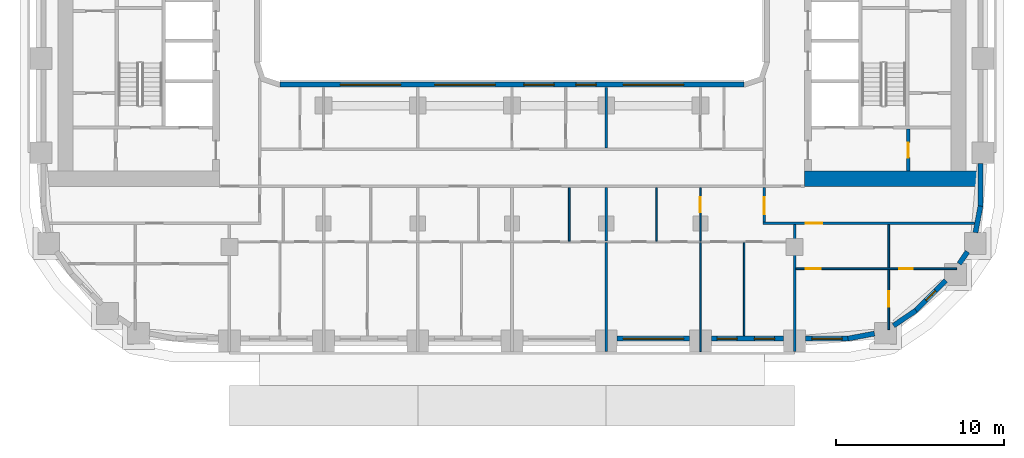
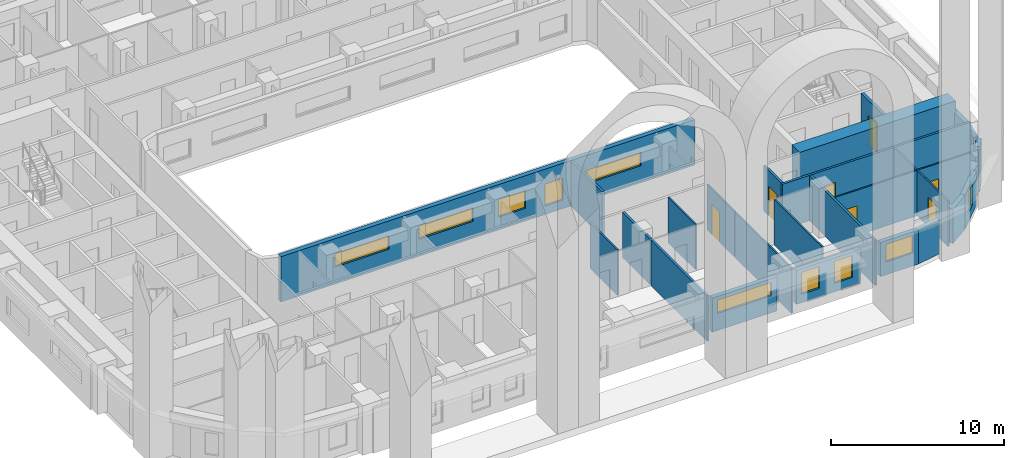
# One storey, part 5 of 19: 26 walls, 10 windows, 7 doors, 17 openings.
"""IFC4 building model written with IfcOpenShell, lengths in metres."""

from ifc_helpers import new_model, si_unit, direction, frame, frame_2d, origin, place, context, subcontext, project, spatial, rectangle, extrude, material, layer, layer_set, type_object, element, fill, save


model = new_model("IFC4")

# Units and contexts
model_context = context("Model", 3, precision=1e-05, world=origin(), true_north=direction((0.0, 1.0)))
body_context = subcontext(model_context, "Body", "Model", "MODEL_VIEW")
ifc_project = project(units=[si_unit("LENGTHUNIT", "METRE"), si_unit("AREAUNIT", "SQUARE_METRE"), si_unit("VOLUMEUNIT", "CUBIC_METRE"), si_unit("PLANEANGLEUNIT", "RADIAN"), si_unit("MASSUNIT", "GRAM", prefix="KILO")], contexts=[model_context])

# Site, building, storey
site_placement = place(None, origin())
site = spatial("IfcSite", under=ifc_project, at=site_placement, CompositionType="ELEMENT")
building_placement = place(site_placement, origin())
building = spatial("IfcBuilding", under=site, at=building_placement, Name="Kiln Ring Residences", CompositionType="ELEMENT")
storey_placement = place(building_placement, frame((0.0, 0.0, 83.300048828125)))
storey = spatial("IfcBuildingStorey", under=building, at=storey_placement, Name="L20", CompositionType="ELEMENT", Elevation=83.300048828125)

# Wall, opening, door
ifc_material_1 = material(Name="Gypsum board on steel studs", Category="steel")
ifc_layer_1 = layer(ifc_material_1, 0.199951171875)
ifc_layer_set_1 = layer_set([ifc_layer_1], Name="CORE-PARTITION-200")
wall_type_1 = type_object("IfcWallType", Name="CORE-PARTITION-200", PredefinedType="PARTITIONING", material=ifc_layer_set_1)
wall_1_placement = place(storey_placement, frame((23.550048828125, -12.300048828125, 0.0), z_axis=(0.0, 0.0, 1.0), x_axis=(0.0, 1.0, 0.0)))
wall_1 = element("IfcWall", 1, at=wall_1_placement, inside=storey, type_object=wall_type_1, Name="Core partition east L20 5", PredefinedType="PARTITIONING", context=body_context, shape_type="SweptSolid", body=[
    extrude(rectangle(XDim=2.5, YDim=0.199951171875, at=frame_2d((1.25, 0.0))), origin(), (0.0, 0.0, 1.0), 3.199951171875),
])
opening_1_placement = place(wall_1_placement, frame((0.800048828125, 0.0, 0.0)))
opening_1 = element("IfcOpeningElement", 2, at=opening_1_placement, cuts=wall_1, Name="Opening L20-CE11", PredefinedType="OPENING", context=body_context, shape_type="SweptSolid", body=[
    extrude(rectangle(XDim=0.89990234375, YDim=2.10009765625, at=frame_2d((0.449951171875, 1.050048828125))), frame((0.0, 0.10986328125, 0.0), z_axis=(0.0, -1.0, 0.0), x_axis=(1.0, 0.0, 0.0)), (0.0, 0.0, 1.0), 0.219970703125),
])
ifc_material_2 = material(Name="Steel door leaf", Category="steel")
door_type_1 = type_object("IfcDoorType", Name="CORE-DOOR-ROOM", OperationType="SINGLE_SWING_LEFT", PredefinedType="DOOR", material=ifc_material_2)
door_1_placement = place(opening_1_placement, origin())
door_1 = element("IfcDoor", 3, at=door_1_placement, inside=storey, type_object=door_type_1, Name="Store L20-CE11", OperationType="SINGLE_SWING_RIGHT", OverallHeight=2.10009765625, OverallWidth=0.89990234375, PredefinedType="DOOR", context=body_context, shape_type="SweptSolid", body=[
    extrude(rectangle(XDim=0.89990234375, YDim=2.10009765625, at=frame_2d((0.449951171875, 1.050048828125))), frame((0.0, 0.02490234375, 0.0), z_axis=(0.0, -1.0, 0.0), x_axis=(1.0, 0.0, 0.0)), (0.0, 0.0, 1.0), 0.050048828125),
])
fill(opening_1, door_1)

# Wall
ifc_material_3 = material(Name="Concrete C60/75", Category="concrete")
ifc_layer_2 = layer(ifc_material_3, 0.89990234375)
ifc_layer_set_2 = layer_set([ifc_layer_2], Name="CORE-WALL-RC900")
wall_type_2 = type_object("IfcWallType", Name="CORE-WALL-RC900", PredefinedType="SHEAR", material=ifc_layer_set_2)
wall_2_placement = place(storey_placement, frame((17.39990234375, -12.75, 0.0), z_axis=(0.0, 0.0, 1.0), x_axis=(1.0, 0.0, 0.0)))
element("IfcWall", 4, at=wall_2_placement, inside=storey, type_object=wall_type_2, Name="Core wall east L20 5", PredefinedType="SHEAR", context=body_context, shape_type="SweptSolid", body=[
    extrude(rectangle(XDim=10.400146484375, YDim=0.89990234375, at=frame_2d((5.2001953125, 0.0))), origin(), (0.0, 0.0, 1.0), 3.199951171875),
])

# Wall, opening, window
ifc_material_4 = material(Name="Brick masonry, dark clay brick", Category="masonry")
ifc_layer_3 = layer(ifc_material_4, 0.300048828125)
ifc_layer_set_3 = layer_set([ifc_layer_3], Name="EW-300 BRICK WALL")
wall_type_3 = type_object("IfcWallType", Name="EW-300 BRICK WALL", PredefinedType="SOLIDWALL", material=ifc_layer_set_3)
wall_3_placement = place(storey_placement, frame((6.25, -22.25, 0.0), z_axis=(0.0, 0.0, 1.0), x_axis=(1.0, 0.0, 0.0)))
wall_3 = element("IfcWall", 5, at=wall_3_placement, inside=storey, type_object=wall_type_3, Name="Facade wall L20 9", PredefinedType="SOLIDWALL", context=body_context, shape_type="SweptSolid", body=[
    extrude(rectangle(XDim=4.300048828125, YDim=0.300048828125, at=frame_2d((2.14990234375, 0.0))), origin(), (0.0, 0.0, 1.0), 2.39990234375),
])
opening_2_placement = place(wall_3_placement, frame((0.35009765625, 0.0, 1.199951171875)))
opening_2 = element("IfcOpeningElement", 6, at=opening_2_placement, cuts=wall_3, Name="Opening W4", PredefinedType="OPENING", context=body_context, shape_type="SweptSolid", body=[
    extrude(rectangle(XDim=3.60009765625, YDim=0.949951171875, at=frame_2d((1.800048828125, 0.47509765625))), frame((0.0, 0.159912109375, 0.0), z_axis=(0.0, -1.0, 0.0), x_axis=(1.0, 0.0, 0.0)), (0.0, 0.0, 1.0), 0.320068359375),
])
ifc_material_5 = material(Name="Aluminium frame with double glazing", Category="aluminium")
window_type_1 = type_object("IfcWindowType", Name="WINDOW 3600 x 950", PartitioningType="SINGLE_PANEL", PredefinedType="WINDOW", material=ifc_material_5)
window_1_placement = place(opening_2_placement, origin())
window_1 = element("IfcWindow", 7, at=window_1_placement, inside=storey, type_object=window_type_1, Name="Window L20 10", OverallHeight=0.949951171875, OverallWidth=3.60009765625, PartitioningType="SINGLE_PANEL", PredefinedType="WINDOW", context=body_context, shape_type="SweptSolid", body=[
    extrude(rectangle(XDim=3.60009765625, YDim=0.949951171875, at=frame_2d((1.800048828125, 0.47509765625))), frame((0.0, 0.030029296875, 0.0), z_axis=(0.0, -1.0, 0.0), x_axis=(1.0, 0.0, 0.0)), (0.0, 0.0, 1.0), 0.06005859375),
])
fill(opening_2, window_1)

# Wall, openings, windows
wall_4_placement = place(storey_placement, frame((11.85009765625, -22.25, 0.0), z_axis=(0.0, 0.0, 1.0), x_axis=(1.0, 0.0, 0.0)))
wall_4 = element("IfcWall", 8, at=wall_4_placement, inside=storey, type_object=wall_type_3, Name="Facade wall L20 10", PredefinedType="SOLIDWALL", context=body_context, shape_type="SweptSolid", body=[
    extrude(rectangle(XDim=4.2998046875, YDim=0.300048828125, at=frame_2d((2.14990234375, 0.0))), origin(), (0.0, 0.0, 1.0), 2.39990234375),
])
opening_3_placement = place(wall_4_placement, frame((0.33740234375, 0.0, 0.60009765625)))
opening_3 = element("IfcOpeningElement", 9, at=opening_3_placement, cuts=wall_4, Name="Opening W1", PredefinedType="OPENING", context=body_context, shape_type="SweptSolid", body=[
    extrude(rectangle(XDim=1.199951171875, YDim=1.550048828125, at=frame_2d((0.60009765625, 0.77490234375))), frame((0.0, 0.159912109375, 0.0), z_axis=(0.0, -1.0, 0.0), x_axis=(1.0, 0.0, 0.0)), (0.0, 0.0, 1.0), 0.320068359375),
])
opening_4_placement = place(wall_4_placement, frame((2.5625, 0.0, 0.60009765625)))
opening_4 = element("IfcOpeningElement", 10, at=opening_4_placement, cuts=wall_4, Name="Opening W1", PredefinedType="OPENING", context=body_context, shape_type="SweptSolid", body=[
    extrude(rectangle(XDim=1.199951171875, YDim=1.550048828125, at=frame_2d((0.60009765625, 0.77490234375))), frame((0.0, 0.159912109375, 0.0), z_axis=(0.0, -1.0, 0.0), x_axis=(1.0, 0.0, 0.0)), (0.0, 0.0, 1.0), 0.320068359375),
])
ifc_material_6 = material(Name="Aluminium frame with double glazing", Category="aluminium")
window_type_2 = type_object("IfcWindowType", Name="WINDOW 1200 x 1550", PartitioningType="SINGLE_PANEL", PredefinedType="WINDOW", material=ifc_material_6)
window_2_placement = place(opening_3_placement, origin())
window_2 = element("IfcWindow", 11, at=window_2_placement, inside=storey, type_object=window_type_2, Name="Window L20 11", OverallHeight=1.550048828125, OverallWidth=1.199951171875, PartitioningType="SINGLE_PANEL", PredefinedType="WINDOW", context=body_context, shape_type="SweptSolid", body=[
    extrude(rectangle(XDim=1.199951171875, YDim=1.550048828125, at=frame_2d((0.60009765625, 0.77490234375))), frame((0.0, 0.030029296875, 0.0), z_axis=(0.0, -1.0, 0.0), x_axis=(1.0, 0.0, 0.0)), (0.0, 0.0, 1.0), 0.06005859375),
])
fill(opening_3, window_2)
window_3_placement = place(opening_4_placement, origin())
window_3 = element("IfcWindow", 12, at=window_3_placement, inside=storey, type_object=window_type_2, Name="Window L20 12", OverallHeight=1.550048828125, OverallWidth=1.199951171875, PartitioningType="SINGLE_PANEL", PredefinedType="WINDOW", context=body_context, shape_type="SweptSolid", body=[
    extrude(rectangle(XDim=1.199951171875, YDim=1.550048828125, at=frame_2d((0.60009765625, 0.77490234375))), frame((0.0, 0.030029296875, 0.0), z_axis=(0.0, -1.0, 0.0), x_axis=(1.0, 0.0, 0.0)), (0.0, 0.0, 1.0), 0.06005859375),
])
fill(opening_4, window_3)

# Wall, opening, window
wall_5_placement = place(storey_placement, frame((17.449951171875, -22.25, 0.0), z_axis=(0.0, 0.0, 1.0), x_axis=(1.0, 0.0, 0.0)))
wall_5 = element("IfcWall", 13, at=wall_5_placement, inside=storey, type_object=wall_type_3, Name="Facade wall L20 11", PredefinedType="SOLIDWALL", context=body_context, shape_type="SweptSolid", body=[
    extrude(rectangle(XDim=2.550048828125, YDim=0.300048828125, at=frame_2d((1.27490234375, 0.0))), origin(), (0.0, 0.0, 1.0), 2.39990234375),
])
opening_5_placement = place(wall_5_placement, frame((0.375, 0.0, 0.89990234375)))
opening_5 = element("IfcOpeningElement", 14, at=opening_5_placement, cuts=wall_5, Name="Opening W2", PredefinedType="OPENING", context=body_context, shape_type="SweptSolid", body=[
    extrude(rectangle(XDim=1.800048828125, YDim=1.25, at=frame_2d((0.89990234375, 0.625))), frame((0.0, 0.159912109375, 0.0), z_axis=(0.0, -1.0, 0.0), x_axis=(1.0, 0.0, 0.0)), (0.0, 0.0, 1.0), 0.320068359375),
])
ifc_material_7 = material(Name="Aluminium frame with double glazing", Category="aluminium")
window_type_3 = type_object("IfcWindowType", Name="WINDOW 1800 x 1250", PartitioningType="SINGLE_PANEL", PredefinedType="WINDOW", material=ifc_material_7)
window_4_placement = place(opening_5_placement, origin())
window_4 = element("IfcWindow", 15, at=window_4_placement, inside=storey, type_object=window_type_3, Name="Window L20 13", OverallHeight=1.25, OverallWidth=1.800048828125, PartitioningType="SINGLE_PANEL", PredefinedType="WINDOW", context=body_context, shape_type="SweptSolid", body=[
    extrude(rectangle(XDim=1.800048828125, YDim=1.25, at=frame_2d((0.89990234375, 0.625))), frame((0.0, 0.030029296875, 0.0), z_axis=(0.0, -1.0, 0.0), x_axis=(1.0, 0.0, 0.0)), (0.0, 0.0, 1.0), 0.06005859375),
])
fill(opening_5, window_4)

# Walls
for number, where, z_axis, x_axis, name in (
    (16, (19.971923828125, -22.252685546875, 0.0), (0.0, 0.0, 1.0), (0.982278644094, 0.187426426519, 0.0), "Facade wall L20 12"),
    (17, (22.684326171875, -21.481689453125, 0.0), (0.0, 0.0, 1.0), (0.82705935865, 0.562114594429, 0.0), "Facade wall L20 13"),
):
    element("IfcWall", number, at=place(storey_placement, frame(where, z_axis=z_axis, x_axis=x_axis)), inside=storey, type_object=wall_type_3, Name=name, PredefinedType="SOLIDWALL", context=body_context, shape_type="SweptSolid", body=[
        extrude(rectangle(XDim=1.606201171875, YDim=0.300048828125, at=frame_2d((0.80322265625, 0.0))), origin(), (0.0, 0.0, 1.0), 2.39990234375),
    ])

# Wall, opening, window
wall_6_placement = place(storey_placement, frame((23.990966796875, -20.596923828125, 0.0), z_axis=(0.0, 0.0, 1.0), x_axis=(0.707106781187, 0.707106781187, 0.0)))
wall_6 = element("IfcWall", 18, at=wall_6_placement, inside=storey, type_object=wall_type_3, Name="Facade wall L20 14", PredefinedType="SOLIDWALL", context=body_context, shape_type="SweptSolid", body=[
    extrude(rectangle(XDim=2.550048828125, YDim=0.300048828125, at=frame_2d((1.27490234375, 0.0))), origin(), (0.0, 0.0, 1.0), 2.39990234375),
])
opening_6_placement = place(wall_6_placement, frame((0.875, 0.0, 0.60009765625)))
opening_6 = element("IfcOpeningElement", 19, at=opening_6_placement, cuts=wall_6, Name="Opening W5", PredefinedType="OPENING", context=body_context, shape_type="SweptSolid", body=[
    extrude(rectangle(XDim=0.800048828125, YDim=1.550048828125, at=frame_2d((0.39990234375, 0.77490234375))), frame((0.0, 0.159912109375, 0.0), z_axis=(0.0, -1.0, 0.0), x_axis=(1.0, 0.0, 0.0)), (0.0, 0.0, 1.0), 0.320068359375),
])
ifc_material_8 = material(Name="Aluminium frame with double glazing", Category="aluminium")
window_type_4 = type_object("IfcWindowType", Name="WINDOW 800 x 1550", PartitioningType="SINGLE_PANEL", PredefinedType="WINDOW", material=ifc_material_8)
window_5_placement = place(opening_6_placement, origin())
window_5 = element("IfcWindow", 20, at=window_5_placement, inside=storey, type_object=window_type_4, Name="Window L20 14", OverallHeight=1.550048828125, OverallWidth=0.800048828125, PartitioningType="SINGLE_PANEL", PredefinedType="WINDOW", context=body_context, shape_type="SweptSolid", body=[
    extrude(rectangle(XDim=0.800048828125, YDim=1.550048828125, at=frame_2d((0.39990234375, 0.77490234375))), frame((0.0, 0.030029296875, 0.0), z_axis=(0.0, -1.0, 0.0), x_axis=(1.0, 0.0, 0.0)), (0.0, 0.0, 1.0), 0.06005859375),
])
fill(opening_6, window_5)

# Walls
wall_7_placement = place(storey_placement, frame((26.588623046875, -17.809814453125, 0.0), z_axis=(0.0, 0.0, 1.0), x_axis=(0.562066330934, 0.827092159091, 0.0)))
element("IfcWall", 21, at=wall_7_placement, inside=storey, type_object=wall_type_3, Name="Facade wall L20 15", PredefinedType="SOLIDWALL", context=body_context, shape_type="SweptSolid", body=[
    extrude(rectangle(XDim=0.876953125, YDim=0.300048828125, at=frame_2d((0.4384765625, 0.0))), origin(), (0.0, 0.0, 1.0), 3.199951171875),
])
wall_8_placement = place(storey_placement, frame((27.5517578125, -15.949462890625, 0.0), z_axis=(0.0, 0.0, 1.0), x_axis=(0.187279751651, 0.982306619453, 0.0)))
element("IfcWall", 22, at=wall_8_placement, inside=storey, type_object=wall_type_3, Name="Facade wall L20 16", PredefinedType="SOLIDWALL", context=body_context, shape_type="SweptSolid", body=[
    extrude(rectangle(XDim=1.60595703125, YDim=0.300048828125, at=frame_2d((0.802978515625, 0.0))), origin(), (0.0, 0.0, 1.0), 2.39990234375),
])
wall_9_placement = place(storey_placement, frame((27.85009765625, -14.39990234375, 0.0), z_axis=(0.0, 0.0, 1.0), x_axis=(0.0, 1.0, 0.0)))
element("IfcWall", 23, at=wall_9_placement, inside=storey, type_object=wall_type_3, Name="Facade wall L20 17", PredefinedType="SOLIDWALL", context=body_context, shape_type="SweptSolid", body=[
    extrude(rectangle(XDim=2.5498046875, YDim=0.300048828125, at=frame_2d((1.27490234375, 0.0))), origin(), (0.0, 0.0, 1.0), 2.39990234375),
])

# Wall, openings, windows
wall_10_placement = place(storey_placement, frame((13.800048828125, -7.14990234375, 0.0), z_axis=(0.0, 0.0, 1.0), x_axis=(-1.0, 0.0, 0.0)))
wall_10 = element("IfcWall", 24, at=wall_10_placement, inside=storey, type_object=wall_type_3, Name="Facade wall L20 52", PredefinedType="SOLIDWALL", context=body_context, shape_type="SweptSolid", body=[
    extrude(rectangle(XDim=27.60009765625, YDim=0.300048828125, at=frame_2d((13.800048828125, 0.0))), origin(), (0.0, 0.0, 1.0), 3.199951171875),
])
opening_7_placement = place(wall_10_placement, frame((3.60009765625, 0.0, 1.199951171875)))
opening_7 = element("IfcOpeningElement", 25, at=opening_7_placement, cuts=wall_10, Name="Opening W4", PredefinedType="OPENING", context=body_context, shape_type="SweptSolid", body=[
    extrude(rectangle(XDim=3.60009765625, YDim=0.949951171875, at=frame_2d((1.800048828125, 0.47509765625))), frame((0.0, 0.159912109375, 0.0), z_axis=(0.0, -1.0, 0.0), x_axis=(1.0, 0.0, 0.0)), (0.0, 0.0, 1.0), 0.320068359375),
])
opening_8_placement = place(wall_10_placement, frame((8.800048828125, 0.0, 0.60009765625)))
opening_8 = element("IfcOpeningElement", 26, at=opening_8_placement, cuts=wall_10, Name="Opening W1", PredefinedType="OPENING", context=body_context, shape_type="SweptSolid", body=[
    extrude(rectangle(XDim=1.199951171875, YDim=1.550048828125, at=frame_2d((0.60009765625, 0.77490234375))), frame((0.0, 0.159912109375, 0.0), z_axis=(0.0, -1.0, 0.0), x_axis=(1.0, 0.0, 0.0)), (0.0, 0.0, 1.0), 0.320068359375),
])
opening_9_placement = place(wall_10_placement, frame((11.300048828125, 0.0, 0.89990234375)))
opening_9 = element("IfcOpeningElement", 27, at=opening_9_placement, cuts=wall_10, Name="Opening W2", PredefinedType="OPENING", context=body_context, shape_type="SweptSolid", body=[
    extrude(rectangle(XDim=1.800048828125, YDim=1.25, at=frame_2d((0.89990234375, 0.625))), frame((0.0, 0.159912109375, 0.0), z_axis=(0.0, -1.0, 0.0), x_axis=(1.0, 0.0, 0.0)), (0.0, 0.0, 1.0), 0.320068359375),
])
opening_10_placement = place(wall_10_placement, frame((14.800048828125, 0.0, 1.199951171875)))
opening_10 = element("IfcOpeningElement", 28, at=opening_10_placement, cuts=wall_10, Name="Opening W4", PredefinedType="OPENING", context=body_context, shape_type="SweptSolid", body=[
    extrude(rectangle(XDim=3.60009765625, YDim=0.949951171875, at=frame_2d((1.800048828125, 0.47509765625))), frame((0.0, 0.159912109375, 0.0), z_axis=(0.0, -1.0, 0.0), x_axis=(1.0, 0.0, 0.0)), (0.0, 0.0, 1.0), 0.320068359375),
])
opening_11_placement = place(wall_10_placement, frame((20.39990234375, 0.0, 1.199951171875)))
opening_11 = element("IfcOpeningElement", 29, at=opening_11_placement, cuts=wall_10, Name="Opening W4", PredefinedType="OPENING", context=body_context, shape_type="SweptSolid", body=[
    extrude(rectangle(XDim=3.60009765625, YDim=0.949951171875, at=frame_2d((1.800048828125, 0.47509765625))), frame((0.0, 0.159912109375, 0.0), z_axis=(0.0, -1.0, 0.0), x_axis=(1.0, 0.0, 0.0)), (0.0, 0.0, 1.0), 0.320068359375),
])
window_6_placement = place(opening_8_placement, origin())
window_6 = element("IfcWindow", 30, at=window_6_placement, inside=storey, type_object=window_type_2, Name="Window L20 36", OverallHeight=1.550048828125, OverallWidth=1.199951171875, PartitioningType="SINGLE_PANEL", PredefinedType="WINDOW", context=body_context, shape_type="SweptSolid", body=[
    extrude(rectangle(XDim=1.199951171875, YDim=1.550048828125, at=frame_2d((0.60009765625, 0.77490234375))), frame((0.0, 0.030029296875, 0.0), z_axis=(0.0, -1.0, 0.0), x_axis=(1.0, 0.0, 0.0)), (0.0, 0.0, 1.0), 0.06005859375),
])
fill(opening_8, window_6)
window_7_placement = place(opening_9_placement, origin())
window_7 = element("IfcWindow", 31, at=window_7_placement, inside=storey, type_object=window_type_3, Name="Window L20 37", OverallHeight=1.25, OverallWidth=1.800048828125, PartitioningType="SINGLE_PANEL", PredefinedType="WINDOW", context=body_context, shape_type="SweptSolid", body=[
    extrude(rectangle(XDim=1.800048828125, YDim=1.25, at=frame_2d((0.89990234375, 0.625))), frame((0.0, 0.030029296875, 0.0), z_axis=(0.0, -1.0, 0.0), x_axis=(1.0, 0.0, 0.0)), (0.0, 0.0, 1.0), 0.06005859375),
])
fill(opening_9, window_7)
window_8_placement = place(opening_7_placement, origin())
window_8 = element("IfcWindow", 32, at=window_8_placement, inside=storey, type_object=window_type_1, Name="Window L20 35", OverallHeight=0.949951171875, OverallWidth=3.60009765625, PartitioningType="SINGLE_PANEL", PredefinedType="WINDOW", context=body_context, shape_type="SweptSolid", body=[
    extrude(rectangle(XDim=3.60009765625, YDim=0.949951171875, at=frame_2d((1.800048828125, 0.47509765625))), frame((0.0, 0.030029296875, 0.0), z_axis=(0.0, -1.0, 0.0), x_axis=(1.0, 0.0, 0.0)), (0.0, 0.0, 1.0), 0.06005859375),
])
fill(opening_7, window_8)
window_9_placement = place(opening_10_placement, origin())
window_9 = element("IfcWindow", 33, at=window_9_placement, inside=storey, type_object=window_type_1, Name="Window L20 38", OverallHeight=0.949951171875, OverallWidth=3.60009765625, PartitioningType="SINGLE_PANEL", PredefinedType="WINDOW", context=body_context, shape_type="SweptSolid", body=[
    extrude(rectangle(XDim=3.60009765625, YDim=0.949951171875, at=frame_2d((1.800048828125, 0.47509765625))), frame((0.0, 0.030029296875, 0.0), z_axis=(0.0, -1.0, 0.0), x_axis=(1.0, 0.0, 0.0)), (0.0, 0.0, 1.0), 0.06005859375),
])
fill(opening_10, window_9)
window_10_placement = place(opening_11_placement, origin())
window_10 = element("IfcWindow", 34, at=window_10_placement, inside=storey, type_object=window_type_1, Name="Window L20 39", OverallHeight=0.949951171875, OverallWidth=3.60009765625, PartitioningType="SINGLE_PANEL", PredefinedType="WINDOW", context=body_context, shape_type="SweptSolid", body=[
    extrude(rectangle(XDim=3.60009765625, YDim=0.949951171875, at=frame_2d((1.800048828125, 0.47509765625))), frame((0.0, 0.030029296875, 0.0), z_axis=(0.0, -1.0, 0.0), x_axis=(1.0, 0.0, 0.0)), (0.0, 0.0, 1.0), 0.06005859375),
])
fill(opening_11, window_10)

# Wall, openings, doors
ifc_material_9 = material(Name="Gypsum board on steel studs", Category="steel")
ifc_layer_4 = layer(ifc_material_9, 0.10009765625)
ifc_layer_set_4 = layer_set([ifc_layer_4], Name="PARTITION-100")
wall_type_4 = type_object("IfcWallType", Name="PARTITION-100", PredefinedType="PARTITIONING", material=ifc_layer_set_4)
wall_11_placement = place(storey_placement, frame((16.875, -18.10009765625, 0.0), z_axis=(0.0, 0.0, 1.0), x_axis=(1.0, 0.0, 0.0)))
wall_11 = element("IfcWall", 35, at=wall_11_placement, inside=storey, type_object=wall_type_4, Name="Partition 000", PredefinedType="PARTITIONING", context=body_context, shape_type="SweptSolid", body=[
    extrude(rectangle(XDim=9.56494140625, YDim=0.10009765625, at=frame_2d((4.782470703125, 0.0))), origin(), (0.0, 0.0, 1.0), 3.199951171875),
])
opening_12_placement = place(wall_11_placement, frame((6.138916015625, 0.0, 0.0)))
opening_12 = element("IfcOpeningElement", 36, at=opening_12_placement, cuts=wall_11, Name="Opening L20-D074", PredefinedType="OPENING", context=body_context, shape_type="SweptSolid", body=[
    extrude(rectangle(XDim=0.800048828125, YDim=2.10009765625, at=frame_2d((0.39990234375, 1.050048828125))), frame((0.0, 0.06005859375, 0.0), z_axis=(0.0, -1.0, 0.0), x_axis=(1.0, 0.0, 0.0)), (0.0, 0.0, 1.0), 0.1201171875),
])
opening_13_placement = place(wall_11_placement, frame((0.574951171875, 0.0, 0.0)))
opening_13 = element("IfcOpeningElement", 37, at=opening_13_placement, cuts=wall_11, Name="Opening L20-D075", PredefinedType="OPENING", context=body_context, shape_type="SweptSolid", body=[
    extrude(rectangle(XDim=0.89990234375, YDim=2.10009765625, at=frame_2d((0.449951171875, 1.050048828125))), frame((0.0, 0.06005859375, 0.0), z_axis=(0.0, -1.0, 0.0), x_axis=(1.0, 0.0, 0.0)), (0.0, 0.0, 1.0), 0.1201171875),
])
ifc_material_10 = material(Name="Timber door leaf", Category="wood")
door_type_2 = type_object("IfcDoorType", Name="FLAT-DOOR-800-PL", OperationType="SINGLE_SWING_LEFT", PredefinedType="DOOR", material=ifc_material_10)
door_2_placement = place(opening_12_placement, origin())
door_2 = element("IfcDoor", 38, at=door_2_placement, inside=storey, type_object=door_type_2, Name="Door L20-D074", OperationType="SINGLE_SWING_RIGHT", OverallHeight=2.10009765625, OverallWidth=0.800048828125, PredefinedType="DOOR", context=body_context, shape_type="SweptSolid", body=[
    extrude(rectangle(XDim=0.800048828125, YDim=2.10009765625, at=frame_2d((0.39990234375, 1.050048828125))), frame((0.0, 0.02490234375, 0.0), z_axis=(0.0, -1.0, 0.0), x_axis=(1.0, 0.0, 0.0)), (0.0, 0.0, 1.0), 0.050048828125),
])
fill(opening_12, door_2)
ifc_material_11 = material(Name="Timber door leaf", Category="wood")
door_type_3 = type_object("IfcDoorType", Name="FLAT-DOOR-900-PL", OperationType="SINGLE_SWING_LEFT", PredefinedType="DOOR", material=ifc_material_11)
door_3_placement = place(opening_13_placement, origin())
door_3 = element("IfcDoor", 39, at=door_3_placement, inside=storey, type_object=door_type_3, Name="Door L20-D075", OperationType="SINGLE_SWING_LEFT", OverallHeight=2.10009765625, OverallWidth=0.89990234375, PredefinedType="DOOR", context=body_context, shape_type="SweptSolid", body=[
    extrude(rectangle(XDim=0.89990234375, YDim=2.10009765625, at=frame_2d((0.449951171875, 1.050048828125))), frame((0.0, 0.02490234375, 0.0), z_axis=(0.0, -1.0, 0.0), x_axis=(1.0, 0.0, 0.0)), (0.0, 0.0, 1.0), 0.050048828125),
])
fill(opening_13, door_3)

# Walls
for number, where, z_axis, x_axis, name in (
    (40, (3.39990234375, -16.449951171875, 0.0), (0.0, 0.0, 1.0), (0.0, 1.0, 0.0), "Partition 055"),
    (41, (8.60009765625, -16.449951171875, 0.0), (0.0, 0.0, 1.0), (0.0, 1.0, 0.0), "Partition 062"),
):
    element("IfcWall", number, at=place(storey_placement, frame(where, z_axis=z_axis, x_axis=x_axis)), inside=storey, type_object=wall_type_4, Name=name, PredefinedType="PARTITIONING", context=body_context, shape_type="SweptSolid", body=[
        extrude(rectangle(XDim=3.175048828125, YDim=0.10009765625, at=frame_2d((1.58740234375, 0.0))), origin(), (0.0, 0.0, 1.0), 3.199951171875),
    ])
wall_12_placement = place(storey_placement, frame((11.199951171875, -23.030029296875, 0.0), z_axis=(0.0, 0.0, 1.0), x_axis=(0.0, 1.0, 0.0)))
element("IfcWall", 42, at=wall_12_placement, inside=storey, type_object=wall_type_4, Name="Partition 064", PredefinedType="PARTITIONING", context=body_context, shape_type="SweptSolid", body=[
    extrude(rectangle(XDim=6.47998046875, YDim=0.10009765625, at=frame_2d((3.239990234375, 0.0))), origin(), (0.0, 0.0, 1.0), 3.199951171875),
])

# Wall, opening, door
wall_13_placement = place(storey_placement, frame((11.199951171875, -16.449951171875, 0.0), z_axis=(0.0, 0.0, 1.0), x_axis=(0.0, 1.0, 0.0)))
wall_13 = element("IfcWall", 43, at=wall_13_placement, inside=storey, type_object=wall_type_4, Name="Partition 065", PredefinedType="PARTITIONING", context=body_context, shape_type="SweptSolid", body=[
    extrude(rectangle(XDim=3.175048828125, YDim=0.10009765625, at=frame_2d((1.58740234375, 0.0))), origin(), (0.0, 0.0, 1.0), 3.199951171875),
])
opening_14_placement = place(wall_13_placement, frame((1.698974609375, 0.0, 0.0)))
opening_14 = element("IfcOpeningElement", 44, at=opening_14_placement, cuts=wall_13, Name="Opening L20-D068", PredefinedType="OPENING", context=body_context, shape_type="SweptSolid", body=[
    extrude(rectangle(XDim=0.89990234375, YDim=2.10009765625, at=frame_2d((0.449951171875, 1.050048828125))), frame((0.0, 0.06005859375, 0.0), z_axis=(0.0, -1.0, 0.0), x_axis=(1.0, 0.0, 0.0)), (0.0, 0.0, 1.0), 0.1201171875),
])
door_4_placement = place(opening_14_placement, origin())
door_4 = element("IfcDoor", 45, at=door_4_placement, inside=storey, type_object=door_type_3, Name="Door L20-D068", OperationType="SINGLE_SWING_LEFT", OverallHeight=2.10009765625, OverallWidth=0.89990234375, PredefinedType="DOOR", context=body_context, shape_type="SweptSolid", body=[
    extrude(rectangle(XDim=0.89990234375, YDim=2.10009765625, at=frame_2d((0.449951171875, 1.050048828125))), frame((0.0, 0.02490234375, 0.0), z_axis=(0.0, -1.0, 0.0), x_axis=(1.0, 0.0, 0.0)), (0.0, 0.0, 1.0), 0.050048828125),
])
fill(opening_14, door_4)

# Wall
wall_14_placement = place(storey_placement, frame((13.800048828125, -22.080078125, 0.0), z_axis=(0.0, 0.0, 1.0), x_axis=(0.0, 1.0, 0.0)))
element("IfcWall", 46, at=wall_14_placement, inside=storey, type_object=wall_type_4, Name="Partition 072", PredefinedType="PARTITIONING", context=body_context, shape_type="SweptSolid", body=[
    extrude(rectangle(XDim=5.530029296875, YDim=0.10009765625, at=frame_2d((2.76513671875, 0.0))), origin(), (0.0, 0.0, 1.0), 3.199951171875),
])

# Wall, opening, door
wall_15_placement = place(storey_placement, frame((22.39990234375, -21.719970703125, 0.0), z_axis=(0.0, 0.0, 1.0), x_axis=(0.0, 1.0, 0.0)))
wall_15 = element("IfcWall", 47, at=wall_15_placement, inside=storey, type_object=wall_type_4, Name="Partition 080", PredefinedType="PARTITIONING", context=body_context, shape_type="SweptSolid", body=[
    extrude(rectangle(XDim=3.570068359375, YDim=0.10009765625, at=frame_2d((1.78515625, 0.0))), origin(), (0.0, 0.0, 1.0), 3.199951171875),
])
opening_15_placement = place(wall_15_placement, frame((1.3720703125, 0.0, 0.0)))
opening_15 = element("IfcOpeningElement", 48, at=opening_15_placement, cuts=wall_15, Name="Opening L20-D076", PredefinedType="OPENING", context=body_context, shape_type="SweptSolid", body=[
    extrude(rectangle(XDim=0.89990234375, YDim=2.10009765625, at=frame_2d((0.449951171875, 1.050048828125))), frame((0.0, 0.06005859375, 0.0), z_axis=(0.0, -1.0, 0.0), x_axis=(1.0, 0.0, 0.0)), (0.0, 0.0, 1.0), 0.1201171875),
])
door_5_placement = place(opening_15_placement, origin())
door_5 = element("IfcDoor", 49, at=door_5_placement, inside=storey, type_object=door_type_3, Name="Door L20-D076", OperationType="SINGLE_SWING_RIGHT", OverallHeight=2.10009765625, OverallWidth=0.89990234375, PredefinedType="DOOR", context=body_context, shape_type="SweptSolid", body=[
    extrude(rectangle(XDim=0.89990234375, YDim=2.10009765625, at=frame_2d((0.449951171875, 1.050048828125))), frame((0.0, 0.02490234375, 0.0), z_axis=(0.0, -1.0, 0.0), x_axis=(1.0, 0.0, 0.0)), (0.0, 0.0, 1.0), 0.050048828125),
])
fill(opening_15, door_5)

# Wall
wall_16_placement = place(storey_placement, frame((22.39990234375, -18.050048828125, 0.0), z_axis=(0.0, 0.0, 1.0), x_axis=(0.0, 1.0, 0.0)))
element("IfcWall", 50, at=wall_16_placement, inside=storey, type_object=wall_type_4, Name="Partition 081", PredefinedType="PARTITIONING", context=body_context, shape_type="SweptSolid", body=[
    extrude(rectangle(XDim=2.574951171875, YDim=0.10009765625, at=frame_2d((1.28759765625, 0.0))), origin(), (0.0, 0.0, 1.0), 3.199951171875),
])

# Wall, opening, door
ifc_material_12 = material(Name="Brick masonry partition", Category="masonry")
ifc_layer_5 = layer(ifc_material_12, 0.14990234375)
ifc_layer_set_5 = layer_set([ifc_layer_5], Name="PARTITION-150-ei60")
wall_type_5 = type_object("IfcWallType", Name="PARTITION-150-ei60", PredefinedType="PARTITIONING", material=ifc_layer_set_5)
wall_17_placement = place(storey_placement, frame((14.925048828125, -15.39990234375, 0.0), z_axis=(0.0, 0.0, 1.0), x_axis=(1.0, 0.0, 0.0)))
wall_17 = element("IfcWall", 51, at=wall_17_placement, inside=storey, type_object=wall_type_5, Name="Partition 004", PredefinedType="PARTITIONING", context=body_context, shape_type="SweptSolid", body=[
    extrude(rectangle(XDim=12.558837890625, YDim=0.14990234375, at=frame_2d((6.279296875, 0.0))), origin(), (0.0, 0.0, 1.0), 3.199951171875),
])
opening_16_placement = place(wall_17_placement, frame((2.52490234375, 0.0, 0.0)))
opening_16 = element("IfcOpeningElement", 52, at=opening_16_placement, cuts=wall_17, Name="Opening L20-D073", PredefinedType="OPENING", context=body_context, shape_type="SweptSolid", body=[
    extrude(rectangle(XDim=1.0, YDim=2.10009765625, at=frame_2d((0.5, 1.050048828125))), frame((0.0, 0.0849609375, 0.0), z_axis=(0.0, -1.0, 0.0), x_axis=(1.0, 0.0, 0.0)), (0.0, 0.0, 1.0), 0.169921875),
])
ifc_material_13 = material(Name="Steel faced fire door leaf", Category="steel")
door_type_4 = type_object("IfcDoorType", Name="FLAT-DOOR-1000-FR", OperationType="SINGLE_SWING_LEFT", PredefinedType="DOOR", material=ifc_material_13)
door_6_placement = place(opening_16_placement, origin())
door_6 = element("IfcDoor", 53, at=door_6_placement, inside=storey, type_object=door_type_4, Name="Door L20-D073", OperationType="SINGLE_SWING_LEFT", OverallHeight=2.10009765625, OverallWidth=1.0, PredefinedType="DOOR", context=body_context, shape_type="SweptSolid", body=[
    extrude(rectangle(XDim=1.0, YDim=2.10009765625, at=frame_2d((0.5, 1.050048828125))), frame((0.0, 0.02490234375, 0.0), z_axis=(0.0, -1.0, 0.0), x_axis=(1.0, 0.0, 0.0)), (0.0, 0.0, 1.0), 0.050048828125),
])
fill(opening_16, door_6)

# Walls
wall_18_placement = place(storey_placement, frame((5.60009765625, -23.030029296875, 0.0), z_axis=(0.0, 0.0, 1.0), x_axis=(0.0, 1.0, 0.0)))
element("IfcWall", 54, at=wall_18_placement, inside=storey, type_object=wall_type_5, Name="Partition 059", PredefinedType="PARTITIONING", context=body_context, shape_type="SweptSolid", body=[
    extrude(rectangle(XDim=6.47998046875, YDim=0.14990234375, at=frame_2d((3.239990234375, 0.0))), origin(), (0.0, 0.0, 1.0), 3.199951171875),
])
wall_19_placement = place(storey_placement, frame((5.60009765625, -16.449951171875, 0.0), z_axis=(0.0, 0.0, 1.0), x_axis=(0.0, 1.0, 0.0)))
element("IfcWall", 55, at=wall_19_placement, inside=storey, type_object=wall_type_5, Name="Partition 060", PredefinedType="PARTITIONING", context=body_context, shape_type="SweptSolid", body=[
    extrude(rectangle(XDim=3.175048828125, YDim=0.14990234375, at=frame_2d((1.58740234375, 0.0))), origin(), (0.0, 0.0, 1.0), 3.199951171875),
])
wall_20_placement = place(storey_placement, frame((5.60009765625, -10.925048828125, 0.0), z_axis=(0.0, 0.0, 1.0), x_axis=(0.0, 1.0, 0.0)))
element("IfcWall", 56, at=wall_20_placement, inside=storey, type_object=wall_type_5, Name="Partition 061", PredefinedType="PARTITIONING", context=body_context, shape_type="SweptSolid", body=[
    extrude(rectangle(XDim=3.60498046875, YDim=0.14990234375, at=frame_2d((1.802490234375, 0.0))), origin(), (0.0, 0.0, 1.0), 3.199951171875),
])

# Wall, opening, door
wall_21_placement = place(storey_placement, frame((15.0, -15.324951171875, 0.0), z_axis=(0.0, 0.0, 1.0), x_axis=(0.0, 1.0, 0.0)))
wall_21 = element("IfcWall", 57, at=wall_21_placement, inside=storey, type_object=wall_type_5, Name="Partition 074", PredefinedType="PARTITIONING", context=body_context, shape_type="SweptSolid", body=[
    extrude(rectangle(XDim=2.050048828125, YDim=0.14990234375, at=frame_2d((1.02490234375, 0.0))), origin(), (0.0, 0.0, 1.0), 3.199951171875),
])
opening_17_placement = place(wall_21_placement, frame((0.47412109375, 0.0, 0.0)))
opening_17 = element("IfcOpeningElement", 58, at=opening_17_placement, cuts=wall_21, Name="Opening L20-D067", PredefinedType="OPENING", context=body_context, shape_type="SweptSolid", body=[
    extrude(rectangle(XDim=1.0, YDim=2.10009765625, at=frame_2d((0.5, 1.050048828125))), frame((0.0, 0.0849609375, 0.0), z_axis=(0.0, -1.0, 0.0), x_axis=(1.0, 0.0, 0.0)), (0.0, 0.0, 1.0), 0.169921875),
])
door_7_placement = place(opening_17_placement, origin())
door_7 = element("IfcDoor", 59, at=door_7_placement, inside=storey, type_object=door_type_4, Name="Door L20-D067", OperationType="SINGLE_SWING_LEFT", OverallHeight=2.10009765625, OverallWidth=1.0, PredefinedType="DOOR", context=body_context, shape_type="SweptSolid", body=[
    extrude(rectangle(XDim=1.0, YDim=2.10009765625, at=frame_2d((0.5, 1.050048828125))), frame((0.0, 0.02490234375, 0.0), z_axis=(0.0, -1.0, 0.0), x_axis=(1.0, 0.0, 0.0)), (0.0, 0.0, 1.0), 0.050048828125),
])
fill(opening_17, door_7)

# Wall
wall_22_placement = place(storey_placement, frame((16.800048828125, -23.030029296875, 0.0), z_axis=(0.0, 0.0, 1.0), x_axis=(0.0, 1.0, 0.0)))
element("IfcWall", 60, at=wall_22_placement, inside=storey, type_object=wall_type_5, Name="Partition 078", PredefinedType="PARTITIONING", context=body_context, shape_type="SweptSolid", body=[
    extrude(rectangle(XDim=7.554931640625, YDim=0.14990234375, at=frame_2d((3.77734375, 0.0))), origin(), (0.0, 0.0, 1.0), 3.199951171875),
])

save(model, "model.ifc")
